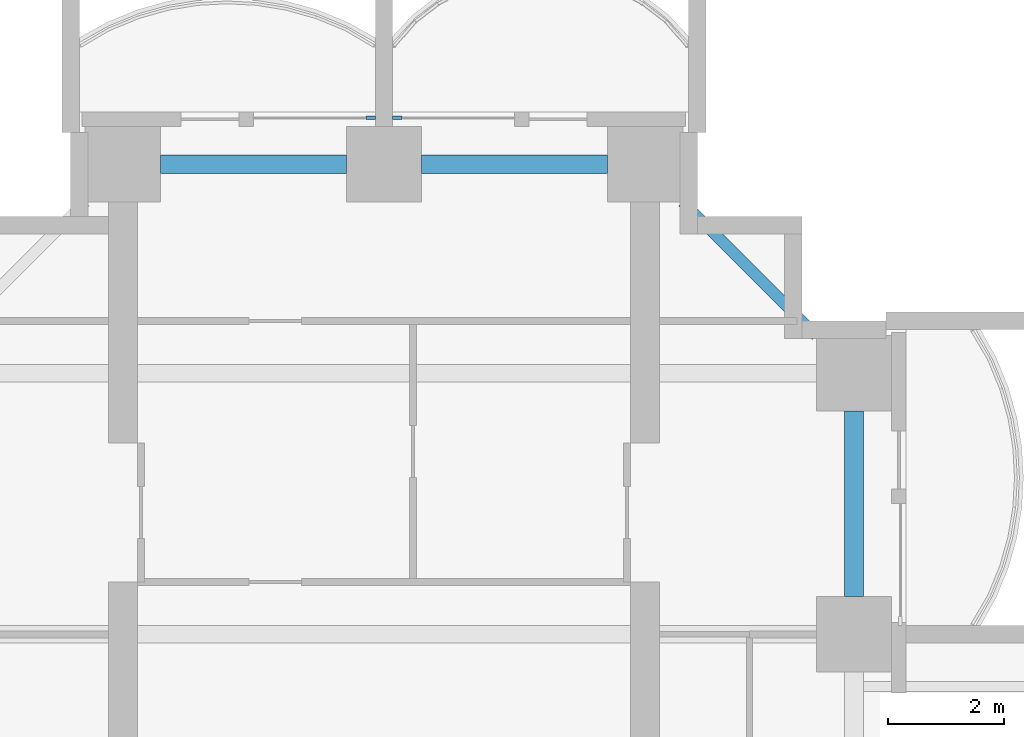
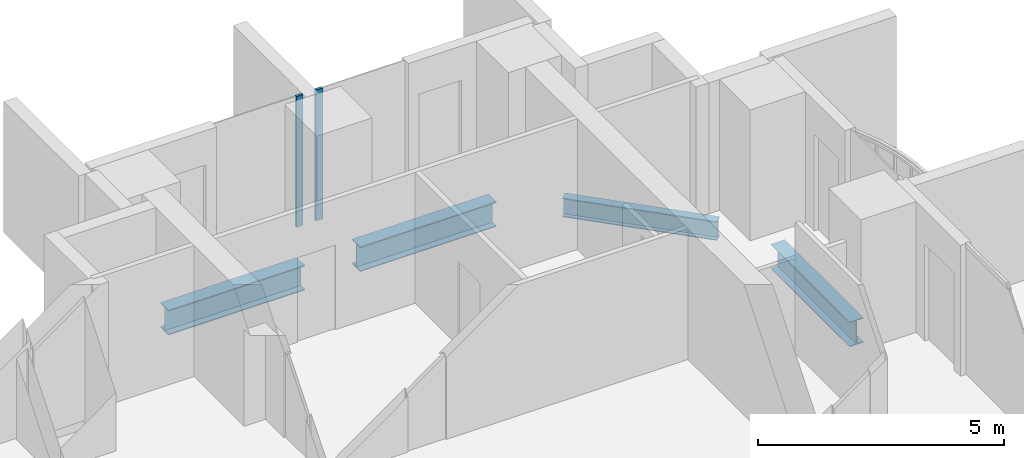
# One storey, part 7 of 20: 4 beams, 2 members, 2 elements without a shape of their own.
"""IFC4 building model written with IfcOpenShell, lengths in metres."""

from ifc_helpers import new_model, si_unit, direction, frame, origin, origin_2d, place, context, subcontext, project, spatial, rectangle, i_section, extrude, material, material_profile, profile_set, type_object, element, aggregate, save


model = new_model("IFC4")

# Units and contexts
model_context = context("Model", 3, precision=1e-05, world=origin(), true_north=direction((0.0, 1.0)))
body_context = subcontext(model_context, "Body", "Model", "MODEL_VIEW")
ifc_project = project(units=[si_unit("LENGTHUNIT", "METRE"), si_unit("AREAUNIT", "SQUARE_METRE"), si_unit("VOLUMEUNIT", "CUBIC_METRE"), si_unit("PLANEANGLEUNIT", "RADIAN"), si_unit("MASSUNIT", "GRAM", prefix="KILO")], contexts=[model_context])

# Site, building, storey
site_placement = place(None, origin())
site = spatial("IfcSite", under=ifc_project, at=site_placement, CompositionType="ELEMENT")
building_placement = place(site_placement, origin())
building = spatial("IfcBuilding", under=site, at=building_placement, Name="Perihelion Cross Residences", CompositionType="ELEMENT")
storey_placement = place(building_placement, frame((0.0, 0.0, 78.5)))
storey = spatial("IfcBuildingStorey", under=building, at=storey_placement, Name="L17", CompositionType="ELEMENT", Elevation=78.5)

# Curtain wall, member
ifc_material_1 = material(Name="Bronze anodised aluminium, tinted glazing", Category="aluminium")
curtain_wall_type = type_object("IfcCurtainWallType", Name="CW1", PredefinedType="NOTDEFINED", material=ifc_material_1)
curtain_wall_1_placement = place(storey_placement, origin())
curtain_wall_1 = element("IfcCurtainWall", 1, at=curtain_wall_1_placement, inside=storey, type_object=curtain_wall_type, Name="Curtain wall CW1 L17 north tip north bay 1", PredefinedType="NOTDEFINED")
ifc_material_2 = material(Name="Bronze anodised aluminium", Category="aluminium")
ifc_material_profile_1 = material_profile(ifc_material_2, rectangle(XDim=0.06005859375, YDim=0.159912109375, at=origin_2d()), Name="CW1 mullion")
ifc_profile_set_1 = profile_set([ifc_material_profile_1], Name="Bronze anodised aluminium")
member_type = type_object("IfcMemberType", Name="CW1 mullion", PredefinedType="MULLION", material=ifc_profile_set_1)
member_1_placement = place(storey_placement, frame((0.22998046875, 26.89990234375, 0.0), z_axis=(0.0, 0.0, 1.0), x_axis=(0.0, -1.0, 0.0)))
member_1 = element("IfcMember", 2, at=member_1_placement, type_object=member_type, Name="CW1 mullion 2", PredefinedType="MULLION", context=body_context, shape_type="SweptSolid", body=[
    extrude(rectangle(XDim=0.06005859375, YDim=0.159912109375, at=origin_2d()), origin(), (0.0, 0.0, 1.0), 3.25),
])
aggregate(curtain_wall_1, [member_1])

curtain_wall_2_placement = place(storey_placement, origin())
curtain_wall_2 = element("IfcCurtainWall", 3, at=curtain_wall_2_placement, inside=storey, type_object=curtain_wall_type, Name="Curtain wall CW1 L17 north tip north bay 2", PredefinedType="NOTDEFINED")
member_2_placement = place(storey_placement, frame((-0.22998046875, 26.89990234375, 0.0), z_axis=(0.0, 0.0, 1.0), x_axis=(0.0, -1.0, 0.0)))
member_2 = element("IfcMember", 4, at=member_2_placement, type_object=member_type, Name="CW1 mullion 1", PredefinedType="MULLION", context=body_context, shape_type="SweptSolid", body=[
    extrude(rectangle(XDim=0.06005859375, YDim=0.159912109375, at=origin_2d()), origin(), (0.0, 0.0, 1.0), 3.25),
])
aggregate(curtain_wall_2, [member_2])

# Beams
ifc_material_3 = material(Name="Steel S355", Category="steel")
ifc_material_profile_2 = material_profile(ifc_material_3, i_section(OverallWidth=0.324951171875, OverallDepth=0.616943359375, WebThickness=0.013916015625, FlangeThickness=0.021484375, at=origin_2d()), Name="W610x174")
ifc_profile_set_2 = profile_set([ifc_material_profile_2], Name="Steel S355")
beam_type_1 = type_object("IfcBeamType", Name="Edge beam W610x174", PredefinedType="SPANDREL", material=ifc_profile_set_2)
for number, where, z_axis, x_axis, name in (
    (5, (8.10009765625, 18.64990234375, -0.55859375), (0.0, 1.0, 0.0), (-1.0, 0.0, 0.0), "Edge beam SB2 L17 no. 19"),
    (6, (3.85009765625, 26.10009765625, -0.55859375), (-1.0, 0.0, 0.0), (0.0, -1.0, 0.0), "Edge beam SB2 L17 no. 15"),
    (7, (-0.64990234375, 26.10009765625, -0.55859375), (-1.0, 0.0, 0.0), (0.0, -1.0, 0.0), "Edge beam SB2 L17 no. 11"),
):
    element("IfcBeam", number, at=place(storey_placement, frame(where, z_axis=z_axis, x_axis=x_axis)), inside=storey, type_object=beam_type_1, Name=name, PredefinedType="SPANDREL", context=body_context, shape_type="SweptSolid", body=[
        extrude(i_section(OverallWidth=0.324951171875, OverallDepth=0.616943359375, WebThickness=0.013916015625, FlangeThickness=0.021484375, at=origin_2d()), origin(), (0.0, 0.0, 1.0), 3.2001953125),
    ])
ifc_material_4 = material(Name="Steel S355", Category="steel")
ifc_material_profile_3 = material_profile(ifc_material_4, i_section(OverallWidth=0.194091796875, OverallDepth=0.469970703125, WebThickness=0.0126953125, FlangeThickness=0.0205078125, at=origin_2d()), Name="W460x106")
ifc_profile_set_3 = profile_set([ifc_material_profile_3], Name="Steel S355")
beam_type_2 = type_object("IfcBeamType", Name="Serration edge beam W460x106", PredefinedType="BEAM", material=ifc_profile_set_3)
beam_placement = place(storey_placement, frame((7.449951171875, 23.14990234375, -0.485107421875), z_axis=(-0.707106781187, 0.707106781187, 0.0), x_axis=(-0.707106781187, -0.707106781187, 0.0)))
element("IfcBeam", 8, at=beam_placement, inside=storey, type_object=beam_type_2, Name="Serration edge beam EB2 L17 no. 4", PredefinedType="BEAM", context=body_context, shape_type="SweptSolid", body=[
    extrude(i_section(OverallWidth=0.194091796875, OverallDepth=0.469970703125, WebThickness=0.0126953125, FlangeThickness=0.0205078125, at=origin_2d()), origin(), (0.0, 0.0, 1.0), 3.252685546875),
])

save(model, "model.ifc")
